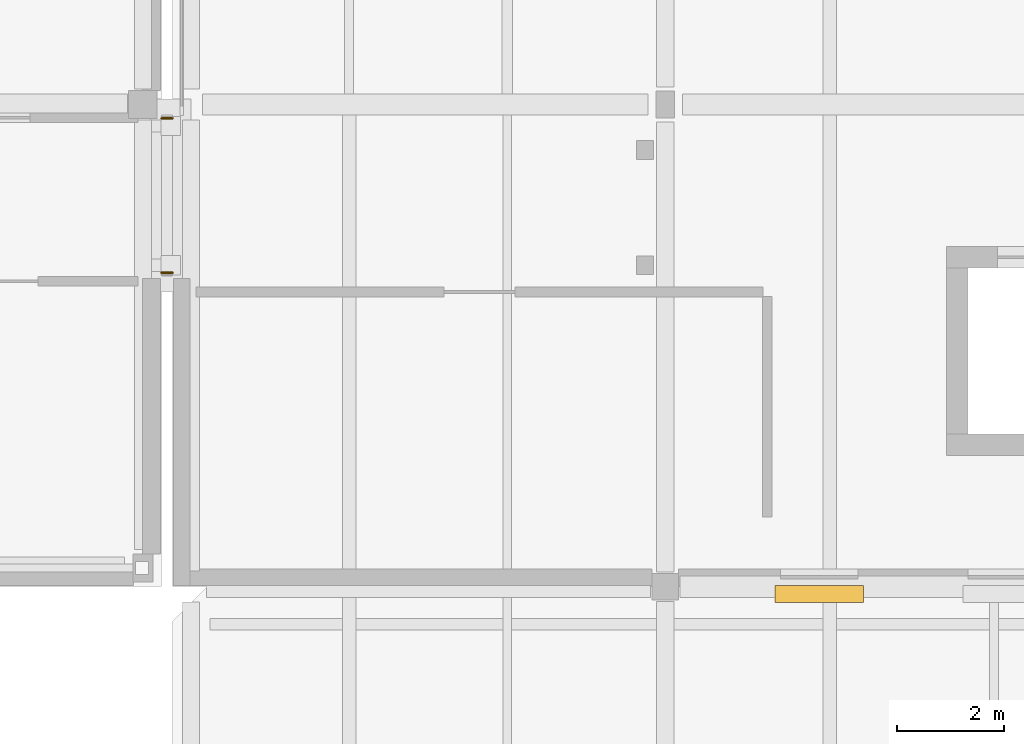
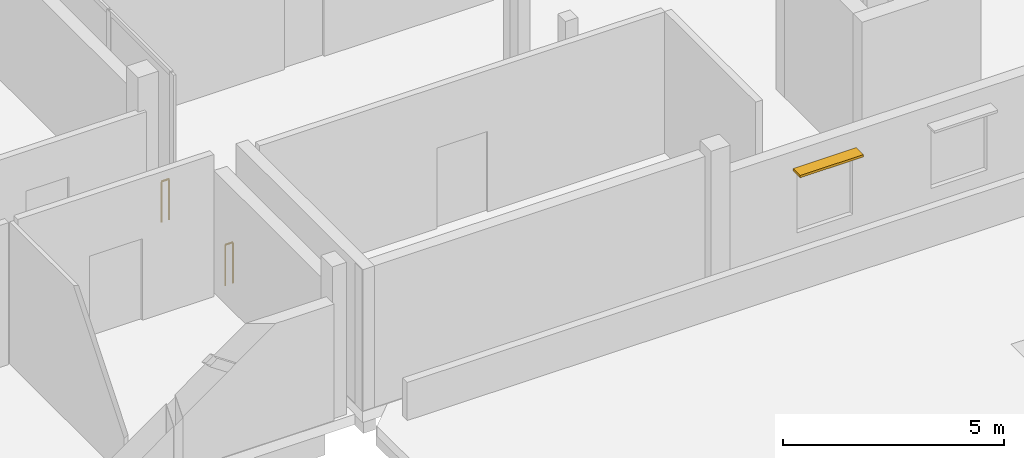
# One storey, part 58 of 66: 2 railings, 1 shading device.
"""IFC4 building model written with IfcOpenShell, lengths in metres."""

from ifc_helpers import new_model, si_unit, direction, frame, origin, origin_2d, place, context, subcontext, project, spatial, rectangle, circle, extrude, material, type_object, element, save


model = new_model("IFC4")

# Units and contexts
model_context = context("Model", 3, precision=1e-05, world=origin(), true_north=direction((0.0, 1.0)))
body_context = subcontext(model_context, "Body", "Model", "MODEL_VIEW")
ifc_project = project(units=[si_unit("LENGTHUNIT", "METRE"), si_unit("AREAUNIT", "SQUARE_METRE"), si_unit("VOLUMEUNIT", "CUBIC_METRE"), si_unit("PLANEANGLEUNIT", "RADIAN"), si_unit("MASSUNIT", "GRAM", prefix="KILO")], contexts=[model_context])

# Site, building, storey
site_placement = place(None, origin())
site = spatial("IfcSite", under=ifc_project, at=site_placement, CompositionType="ELEMENT")
building_placement = place(site_placement, origin())
building = spatial("IfcBuilding", under=site, at=building_placement, Name="Birchvale Park Specialist Clinic", CompositionType="ELEMENT")
storey_placement = place(building_placement, frame((0.0, 0.0, 5.39990234375)))
storey = spatial("IfcBuildingStorey", under=building, at=storey_placement, Name="L01", CompositionType="ELEMENT", Elevation=5.39990234375)

# Railings
ifc_material_1 = material(Name="Brushed stainless steel and laminated glass balustrade", Category="steel")
railing_type = type_object("IfcRailingType", Name="RL-BAL2", PredefinedType="BALUSTRADE", material=ifc_material_1)
for number, where, name in (
    (1, (118.60009765625, 22.659912109375, 0.0), "L01 seismic joint bridge guard BRG-2.5"),
    (2, (118.60009765625, 25.5400390625, 0.0), "L01 seismic joint bridge guard BRG-2.6"),
):
    element("IfcRailing", number, at=place(storey_placement, frame(where)), inside=storey, type_object=railing_type, Name=name, PredefinedType="BALUSTRADE", context=body_context, shape_type="SweptSolid", body=[
        extrude(circle(Radius=0.02392578125, at=origin_2d()), frame((0.0, 0.0, 1.1259765625), z_axis=(1.0, 0.0, 0.0), x_axis=(0.0, 1.0, 0.0)), (0.0, 0.0, 1.0), 0.199951171875),
        extrude(circle(Radius=0.02099609375, at=origin_2d()), origin(), (0.0, 0.0, 1.0), 1.101806640625),
        extrude(circle(Radius=0.02099609375, at=origin_2d()), frame((0.199951171875, 0.0, 0.0)), (0.0, 0.0, 1.0), 1.101806640625),
    ])

# Shading device
ifc_material_2 = material(Name="Nordic larch solar louvre")
shading_device_type = type_object("IfcShadingDeviceType", Name="SHD-LVR1", PredefinedType="JALOUSIE", material=ifc_material_2)
shading_device_placement = place(storey_placement, frame((130.873046875, 16.659912109375, 2.697509765625), z_axis=(0.0, 0.0, 1.0), x_axis=(1.0, 0.0, 0.0)))
element("IfcShadingDevice", 3, at=shading_device_placement, inside=storey, type_object=shading_device_type, Name="V5 L01 timber sun louvre 20", PredefinedType="JALOUSIE", context=body_context, shape_type="SweptSolid", body=[
    extrude(rectangle(XDim=1.64990234375, YDim=0.320068359375, at=origin_2d()), origin(), (0.0, 0.0, 1.0), 0.06494140625),
])

save(model, "model.ifc")
